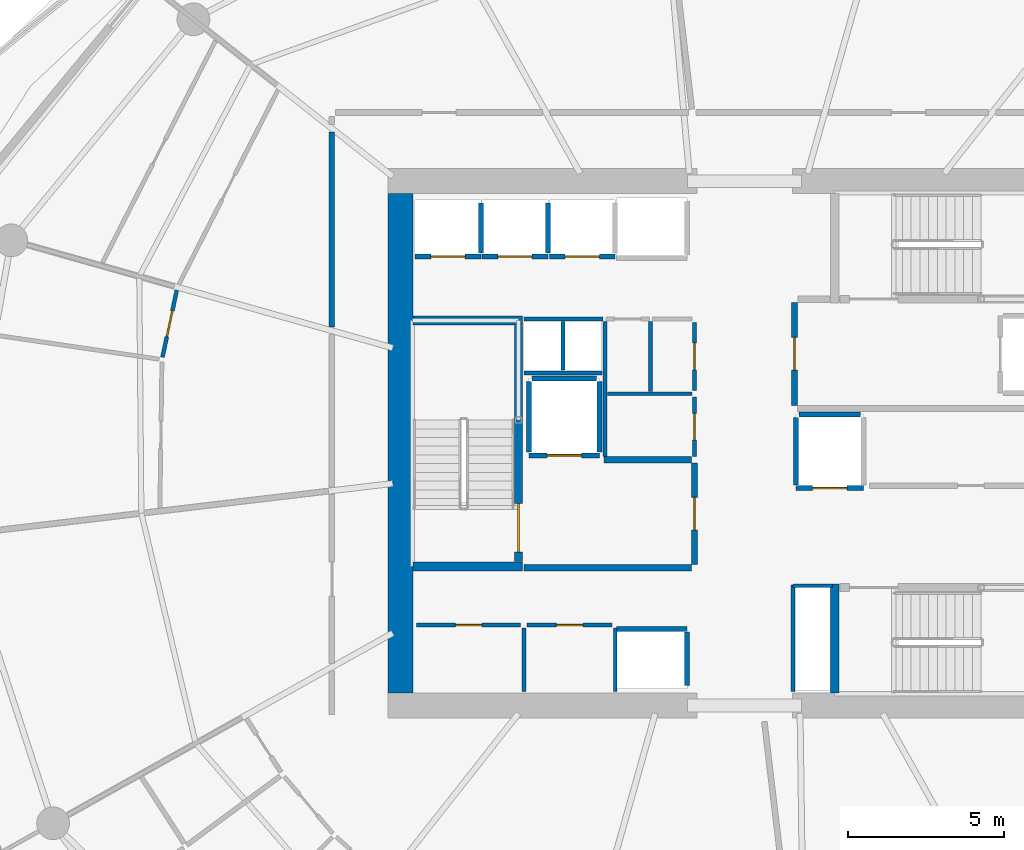
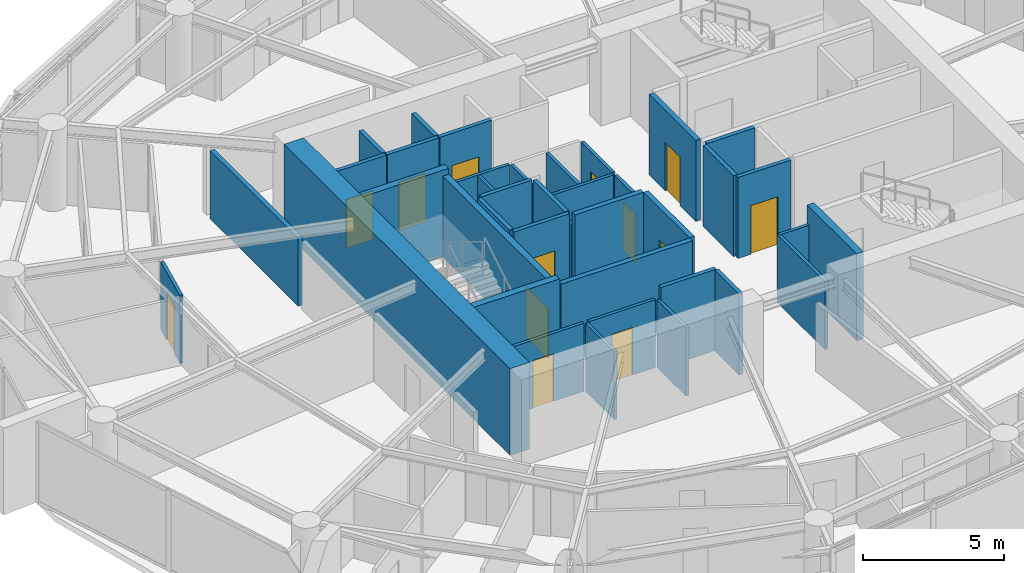
# One storey, part 12 of 20: 39 walls, 13 doors, 13 openings.
"""IFC4 building model written with IfcOpenShell, lengths in metres."""

from ifc_helpers import new_model, si_unit, direction, frame, frame_2d, origin, place, context, subcontext, project, spatial, rectangle, extrude, material, layer, layer_set, type_object, element, fill, save


model = new_model("IFC4")

# Units and contexts
model_context = context("Model", 3, precision=1e-05, world=origin(), true_north=direction((0.0, 1.0)))
body_context = subcontext(model_context, "Body", "Model", "MODEL_VIEW")
ifc_project = project(units=[si_unit("LENGTHUNIT", "METRE"), si_unit("AREAUNIT", "SQUARE_METRE"), si_unit("VOLUMEUNIT", "CUBIC_METRE"), si_unit("PLANEANGLEUNIT", "RADIAN"), si_unit("MASSUNIT", "GRAM", prefix="KILO")], contexts=[model_context])

# Site, building, storey
site_placement = place(None, origin())
site = spatial("IfcSite", under=ifc_project, at=site_placement, CompositionType="ELEMENT")
building_placement = place(site_placement, origin())
building = spatial("IfcBuilding", under=site, at=building_placement, Name="Kazma Halo Residences", CompositionType="ELEMENT")
storey_placement = place(building_placement, frame((0.0, 0.0, 157.800048828125)))
storey = spatial("IfcBuildingStorey", under=building, at=storey_placement, Name="L39", CompositionType="ELEMENT", Elevation=157.800048828125)

# Walls
ifc_material_1 = material(Name="Concrete C80/95", Category="concrete")
ifc_layer_1 = layer(ifc_material_1, 0.800048828125)
ifc_layer_set_1 = layer_set([ifc_layer_1], Name="Concrete C80/95")
wall_type_1 = type_object("IfcWallType", Name="WL-CORE-800", PredefinedType="SHEAR", material=ifc_layer_set_1)
wall_1_placement = place(storey_placement, frame((37.39990234375, 34.0, 0.0), z_axis=(0.0, 0.0, 1.0), x_axis=(0.0, 1.0, 0.0)))
element("IfcWall", 1, at=wall_1_placement, inside=storey, type_object=wall_type_1, Name="L39 central core shear wall W", PredefinedType="SHEAR", context=body_context, shape_type="SweptSolid", body=[
    extrude(rectangle(XDim=16.0, YDim=0.800048828125, at=frame_2d((8.0, 0.0))), origin(), (0.0, 0.0, 1.0), 3.75),
])
ifc_material_2 = material(Name="Concrete C60/75", Category="concrete")
ifc_layer_2 = layer(ifc_material_2, 0.280029296875)
ifc_layer_set_2 = layer_set([ifc_layer_2], Name="Concrete C60/75")
wall_type_2 = type_object("IfcWallType", Name="WL-CORE-ST-280", PredefinedType="SHEAR", material=ifc_layer_set_2)
for number, where, z_axis, x_axis, name in (
    (2, (37.800048828125, 38.06005859375, 0.0), (0.0, 0.0, 1.0), (1.0, 0.0, 0.0), "L39 stairwell bearing wall ST01-S"),
    (3, (37.800048828125, 45.93994140625, 0.0), (0.0, 0.0, 1.0), (1.0, 0.0, 0.0), "L39 stairwell bearing wall ST01-N"),
    (4, (51.31005859375, 34.0, 0.0), (0.0, 0.0, 1.0), (0.0, 1.0, 0.0), "L39 stairwell bearing wall ST03-W"),
):
    element("IfcWall", number, at=place(storey_placement, frame(where, z_axis=z_axis, x_axis=x_axis)), inside=storey, type_object=wall_type_2, Name=name, PredefinedType="SHEAR", context=body_context, shape_type="SweptSolid", body=[
        extrude(rectangle(XDim=3.5, YDim=0.280029296875, at=frame_2d((1.75, 0.0))), origin(), (0.0, 0.0, 1.0), 3.75),
    ])
ifc_material_3 = material(Name="Acoustic Twin-Stud Gypsum")
ifc_layer_3 = layer(ifc_material_3, 0.179931640625)
ifc_layer_set_3 = layer_set([ifc_layer_3], Name="Acoustic Twin-Stud Gypsum")
wall_type_3 = type_object("IfcWallType", Name="WL-DEM-180", PredefinedType="PARTITIONING", material=ifc_layer_set_3)
wall_2_placement = place(storey_placement, frame((35.199951171875, 51.970703125, 0.0), z_axis=(0.0, 0.0, 1.0), x_axis=(0.0, -1.0, 0.0)))
element("IfcWall", 5, at=wall_2_placement, inside=storey, type_object=wall_type_3, Name="L39 Apartment 1 inner wall 5", PredefinedType="PARTITIONING", context=body_context, shape_type="SweptSolid", body=[
    extrude(rectangle(XDim=6.24072265625, YDim=0.179931640625, at=frame_2d((3.120361328125, 0.0))), origin(), (0.0, 0.0, 1.0), 2.93994140625),
])

# Wall, opening, door
ifc_material_4 = material(Name="Fire-Rated Blockwork Masonry", Category="masonry")
ifc_layer_4 = layer(ifc_material_4, 0.199951171875)
ifc_layer_set_4 = layer_set([ifc_layer_4], Name="Fire-Rated Blockwork Masonry")
wall_type_4 = type_object("IfcWallType", Name="WL-FLB-200", PredefinedType="PARTITIONING", material=ifc_layer_set_4)
wall_3_placement = place(storey_placement, frame((39.97509765625, 47.9951171875, 0.0), z_axis=(0.0, 0.0, 1.0), x_axis=(-1.0, 0.0, 0.0)))
wall_3 = element("IfcWall", 6, at=wall_3_placement, inside=storey, type_object=wall_type_4, Name="L39 lift shaft PM-01 front wall", PredefinedType="PARTITIONING", context=body_context, shape_type="SweptSolid", body=[
    extrude(rectangle(XDim=2.110107421875, YDim=0.159912109375, at=frame_2d((1.05517578125, 0.0))), origin(), (0.0, 0.0, 1.0), 3.5),
])
opening_1_placement = place(wall_3_placement, frame((0.5048828125, 0.0, 0.0)))
opening_1 = element("IfcOpeningElement", 7, at=opening_1_placement, cuts=wall_3, Name="Opening LD-PM-01", PredefinedType="OPENING", context=body_context, shape_type="SweptSolid", body=[
    extrude(rectangle(XDim=1.10009765625, YDim=2.10009765625, at=frame_2d((0.550048828125, 1.050048828125))), frame((0.0, 0.08984375, 0.0), z_axis=(0.0, -1.0, 0.0), x_axis=(1.0, 0.0, 0.0)), (0.0, 0.0, 1.0), 0.179931640625),
])
ifc_material_5 = material(Name="Stainless Steel Fire-Rated", Category="steel")
door_type_1 = type_object("IfcDoorType", Name="DR-LIFT-SLD-1100", OperationType="DOUBLE_DOOR_SLIDING", PredefinedType="DOOR", material=ifc_material_5)
door_1_placement = place(opening_1_placement, origin())
door_1 = element("IfcDoor", 8, at=door_1_placement, inside=storey, type_object=door_type_1, Name="L39 lift PM-01 sliding landing door", OperationType="DOUBLE_DOOR_SLIDING", OverallHeight=2.10009765625, OverallWidth=1.10009765625, PredefinedType="DOOR", context=body_context, shape_type="SweptSolid", body=[
    extrude(rectangle(XDim=1.10009765625, YDim=2.10009765625, at=frame_2d((0.550048828125, 1.050048828125))), frame((0.0, 0.02490234375, 0.0), z_axis=(0.0, -1.0, 0.0), x_axis=(1.0, 0.0, 0.0)), (0.0, 0.0, 1.0), 0.050048828125),
])
fill(opening_1, door_1)

# Wall
wall_4_placement = place(storey_placement, frame((39.97509765625, 48.094970703125, 0.0), z_axis=(0.0, 0.0, 1.0), x_axis=(0.0, 1.0, 0.0)))
element("IfcWall", 9, at=wall_4_placement, inside=storey, type_object=wall_type_4, Name="L39 lift shaft PM-01 side wall E", PredefinedType="PARTITIONING", context=body_context, shape_type="SweptSolid", body=[
    extrude(rectangle(XDim=1.610107421875, YDim=0.159912109375, at=frame_2d((0.80517578125, 0.0))), origin(), (0.0, 0.0, 1.0), 3.5),
])

# Wall, opening, door
wall_5_placement = place(storey_placement, frame((42.125, 47.9951171875, 0.0), z_axis=(0.0, 0.0, 1.0), x_axis=(-1.0, 0.0, 0.0)))
wall_5 = element("IfcWall", 10, at=wall_5_placement, inside=storey, type_object=wall_type_4, Name="L39 lift shaft PM-02 front wall", PredefinedType="PARTITIONING", context=body_context, shape_type="SweptSolid", body=[
    extrude(rectangle(XDim=2.110107421875, YDim=0.159912109375, at=frame_2d((1.05517578125, 0.0))), origin(), (0.0, 0.0, 1.0), 3.5),
])
opening_2_placement = place(wall_5_placement, frame((0.5048828125, 0.0, 0.0)))
opening_2 = element("IfcOpeningElement", 11, at=opening_2_placement, cuts=wall_5, Name="Opening LD-PM-02", PredefinedType="OPENING", context=body_context, shape_type="SweptSolid", body=[
    extrude(rectangle(XDim=1.10009765625, YDim=2.10009765625, at=frame_2d((0.550048828125, 1.050048828125))), frame((0.0, 0.08984375, 0.0), z_axis=(0.0, -1.0, 0.0), x_axis=(1.0, 0.0, 0.0)), (0.0, 0.0, 1.0), 0.179931640625),
])
door_2_placement = place(opening_2_placement, origin())
door_2 = element("IfcDoor", 12, at=door_2_placement, inside=storey, type_object=door_type_1, Name="L39 lift PM-02 sliding landing door", OperationType="DOUBLE_DOOR_SLIDING", OverallHeight=2.10009765625, OverallWidth=1.10009765625, PredefinedType="DOOR", context=body_context, shape_type="SweptSolid", body=[
    extrude(rectangle(XDim=1.10009765625, YDim=2.10009765625, at=frame_2d((0.550048828125, 1.050048828125))), frame((0.0, 0.02490234375, 0.0), z_axis=(0.0, -1.0, 0.0), x_axis=(1.0, 0.0, 0.0)), (0.0, 0.0, 1.0), 0.050048828125),
])
fill(opening_2, door_2)

# Wall
wall_6_placement = place(storey_placement, frame((42.125, 48.094970703125, 0.0), z_axis=(0.0, 0.0, 1.0), x_axis=(0.0, 1.0, 0.0)))
element("IfcWall", 13, at=wall_6_placement, inside=storey, type_object=wall_type_4, Name="L39 lift shaft PM-02 side wall E", PredefinedType="PARTITIONING", context=body_context, shape_type="SweptSolid", body=[
    extrude(rectangle(XDim=1.610107421875, YDim=0.159912109375, at=frame_2d((0.80517578125, 0.0))), origin(), (0.0, 0.0, 1.0), 3.5),
])

# Wall, opening, door
wall_7_placement = place(storey_placement, frame((44.27490234375, 47.9951171875, 0.0), z_axis=(0.0, 0.0, 1.0), x_axis=(-1.0, 0.0, 0.0)))
wall_7 = element("IfcWall", 14, at=wall_7_placement, inside=storey, type_object=wall_type_4, Name="L39 lift shaft PM-03 front wall", PredefinedType="PARTITIONING", context=body_context, shape_type="SweptSolid", body=[
    extrude(rectangle(XDim=2.10986328125, YDim=0.159912109375, at=frame_2d((1.054931640625, 0.0))), origin(), (0.0, 0.0, 1.0), 3.5),
])
opening_3_placement = place(wall_7_placement, frame((0.5048828125, 0.0, 0.0)))
opening_3 = element("IfcOpeningElement", 15, at=opening_3_placement, cuts=wall_7, Name="Opening LD-PM-03", PredefinedType="OPENING", context=body_context, shape_type="SweptSolid", body=[
    extrude(rectangle(XDim=1.10009765625, YDim=2.10009765625, at=frame_2d((0.550048828125, 1.050048828125))), frame((0.0, 0.08984375, 0.0), z_axis=(0.0, -1.0, 0.0), x_axis=(1.0, 0.0, 0.0)), (0.0, 0.0, 1.0), 0.179931640625),
])
door_3_placement = place(opening_3_placement, origin())
door_3 = element("IfcDoor", 16, at=door_3_placement, inside=storey, type_object=door_type_1, Name="L39 lift PM-03 sliding landing door", OperationType="DOUBLE_DOOR_SLIDING", OverallHeight=2.10009765625, OverallWidth=1.10009765625, PredefinedType="DOOR", context=body_context, shape_type="SweptSolid", body=[
    extrude(rectangle(XDim=1.10009765625, YDim=2.10009765625, at=frame_2d((0.550048828125, 1.050048828125))), frame((0.0, 0.02490234375, 0.0), z_axis=(0.0, -1.0, 0.0), x_axis=(1.0, 0.0, 0.0)), (0.0, 0.0, 1.0), 0.050048828125),
])
fill(opening_3, door_3)

# Walls
wall_8_placement = place(storey_placement, frame((44.320068359375, 36.054931640625, 0.0), z_axis=(0.0, 0.0, 1.0), x_axis=(1.0, 0.0, 0.0)))
element("IfcWall", 17, at=wall_8_placement, inside=storey, type_object=wall_type_4, Name="L39 lift shaft PX-02 front wall", PredefinedType="PARTITIONING", context=body_context, shape_type="SweptSolid", body=[
    extrude(rectangle(XDim=2.260009765625, YDim=0.159912109375, at=frame_2d((1.1298828125, 0.0))), origin(), (0.0, 0.0, 1.0), 3.5),
])
wall_9_placement = place(storey_placement, frame((46.580078125, 34.2451171875, 0.0), z_axis=(0.0, 0.0, 1.0), x_axis=(0.0, 1.0, 0.0)))
element("IfcWall", 18, at=wall_9_placement, inside=storey, type_object=wall_type_4, Name="L39 lift shaft PX-02 side wall E", PredefinedType="PARTITIONING", context=body_context, shape_type="SweptSolid", body=[
    extrude(rectangle(XDim=1.7099609375, YDim=0.159912109375, at=frame_2d((0.85498046875, 0.0))), origin(), (0.0, 0.0, 1.0), 3.5),
])

# Wall, opening, door
wall_10_placement = place(storey_placement, frame((43.780029296875, 41.6201171875, 0.0), z_axis=(0.0, 0.0, 1.0), x_axis=(-1.0, 0.0, 0.0)))
wall_10 = element("IfcWall", 19, at=wall_10_placement, inside=storey, type_object=wall_type_4, Name="L39 lift shaft FL-01 front wall", PredefinedType="PARTITIONING", context=body_context, shape_type="SweptSolid", body=[
    extrude(rectangle(XDim=2.260009765625, YDim=0.159912109375, at=frame_2d((1.1298828125, 0.0))), origin(), (0.0, 0.0, 1.0), 3.5),
])
opening_4_placement = place(wall_10_placement, frame((0.580078125, 0.0, 0.0)))
opening_4 = element("IfcOpeningElement", 20, at=opening_4_placement, cuts=wall_10, Name="Opening LD-FL-01", PredefinedType="OPENING", context=body_context, shape_type="SweptSolid", body=[
    extrude(rectangle(XDim=1.10009765625, YDim=2.10009765625, at=frame_2d((0.550048828125, 1.050048828125))), frame((0.0, 0.08984375, 0.0), z_axis=(0.0, -1.0, 0.0), x_axis=(1.0, 0.0, 0.0)), (0.0, 0.0, 1.0), 0.179931640625),
])
door_4_placement = place(opening_4_placement, origin())
door_4 = element("IfcDoor", 21, at=door_4_placement, inside=storey, type_object=door_type_1, Name="L39 lift FL-01 sliding landing door", OperationType="DOUBLE_DOOR_SLIDING", OverallHeight=2.10009765625, OverallWidth=1.10009765625, PredefinedType="DOOR", context=body_context, shape_type="SweptSolid", body=[
    extrude(rectangle(XDim=1.10009765625, YDim=2.10009765625, at=frame_2d((0.550048828125, 1.050048828125))), frame((0.0, 0.02490234375, 0.0), z_axis=(0.0, -1.0, 0.0), x_axis=(1.0, 0.0, 0.0)), (0.0, 0.0, 1.0), 0.050048828125),
])
fill(opening_4, door_4)

# Walls
for number, where, z_axis, x_axis, name in (
    (22, (43.780029296875, 41.719970703125, 0.0), (0.0, 0.0, 1.0), (0.0, 1.0, 0.0), "L39 lift shaft FL-01 side wall E"),
    (23, (41.52001953125, 41.719970703125, 0.0), (0.0, 0.0, 1.0), (0.0, 1.0, 0.0), "L39 lift shaft FL-01 side wall W"),
):
    element("IfcWall", number, at=place(storey_placement, frame(where, z_axis=z_axis, x_axis=x_axis)), inside=storey, type_object=wall_type_4, Name=name, PredefinedType="PARTITIONING", context=body_context, shape_type="SweptSolid", body=[
        extrude(rectangle(XDim=2.260009765625, YDim=0.159912109375, at=frame_2d((1.1298828125, 0.0))), origin(), (0.0, 0.0, 1.0), 3.5),
    ])
wall_11_placement = place(storey_placement, frame((41.6201171875, 44.080078125, 0.0), z_axis=(0.0, 0.0, 1.0), x_axis=(1.0, 0.0, 0.0)))
element("IfcWall", 24, at=wall_11_placement, inside=storey, type_object=wall_type_4, Name="L39 lift shaft FL-01 side wall N", PredefinedType="PARTITIONING", context=body_context, shape_type="SweptSolid", body=[
    extrude(rectangle(XDim=2.059814453125, YDim=0.159912109375, at=frame_2d((1.02978515625, 0.0))), origin(), (0.0, 0.0, 1.0), 3.5),
])

# Wall, opening, door
wall_12_placement = place(storey_placement, frame((52.22998046875, 40.570068359375, 0.0), z_axis=(0.0, 0.0, 1.0), x_axis=(-1.0, 0.0, 0.0)))
wall_12 = element("IfcWall", 25, at=wall_12_placement, inside=storey, type_object=wall_type_4, Name="L39 lift shaft SV-01 front wall", PredefinedType="PARTITIONING", context=body_context, shape_type="SweptSolid", body=[
    extrude(rectangle(XDim=2.159912109375, YDim=0.159912109375, at=frame_2d((1.080078125, 0.0))), origin(), (0.0, 0.0, 1.0), 3.5),
])
opening_5_placement = place(wall_12_placement, frame((0.530029296875, 0.0, 0.0)))
opening_5 = element("IfcOpeningElement", 26, at=opening_5_placement, cuts=wall_12, Name="Opening LD-SV-01", PredefinedType="OPENING", context=body_context, shape_type="SweptSolid", body=[
    extrude(rectangle(XDim=1.10009765625, YDim=2.10009765625, at=frame_2d((0.550048828125, 1.050048828125))), frame((0.0, 0.08984375, 0.0), z_axis=(0.0, -1.0, 0.0), x_axis=(1.0, 0.0, 0.0)), (0.0, 0.0, 1.0), 0.179931640625),
])
door_5_placement = place(opening_5_placement, origin())
door_5 = element("IfcDoor", 27, at=door_5_placement, inside=storey, type_object=door_type_1, Name="L39 lift SV-01 sliding landing door", OperationType="DOUBLE_DOOR_SLIDING", OverallHeight=2.10009765625, OverallWidth=1.10009765625, PredefinedType="DOOR", context=body_context, shape_type="SweptSolid", body=[
    extrude(rectangle(XDim=1.10009765625, YDim=2.10009765625, at=frame_2d((0.550048828125, 1.050048828125))), frame((0.0, 0.02490234375, 0.0), z_axis=(0.0, -1.0, 0.0), x_axis=(1.0, 0.0, 0.0)), (0.0, 0.0, 1.0), 0.050048828125),
])
fill(opening_5, door_5)

# Walls
wall_13_placement = place(storey_placement, frame((50.070068359375, 40.669921875, 0.0), z_axis=(0.0, 0.0, 1.0), x_axis=(0.0, 1.0, 0.0)))
element("IfcWall", 28, at=wall_13_placement, inside=storey, type_object=wall_type_4, Name="L39 lift shaft SV-01 side wall W", PredefinedType="PARTITIONING", context=body_context, shape_type="SweptSolid", body=[
    extrude(rectangle(XDim=2.16015625, YDim=0.159912109375, at=frame_2d((1.080078125, 0.0))), origin(), (0.0, 0.0, 1.0), 3.5),
])
wall_14_placement = place(storey_placement, frame((50.169921875, 42.929931640625, 0.0), z_axis=(0.0, 0.0, 1.0), x_axis=(1.0, 0.0, 0.0)))
element("IfcWall", 29, at=wall_14_placement, inside=storey, type_object=wall_type_4, Name="L39 lift shaft SV-01 side wall N", PredefinedType="PARTITIONING", context=body_context, shape_type="SweptSolid", body=[
    extrude(rectangle(XDim=1.9599609375, YDim=0.159912109375, at=frame_2d((0.97998046875, 0.0))), origin(), (0.0, 0.0, 1.0), 3.5),
])
wall_15_placement = place(storey_placement, frame((41.35009765625, 38.02001953125, 0.0), z_axis=(0.0, 0.0, 1.0), x_axis=(1.0, 0.0, 0.0)))
element("IfcWall", 30, at=wall_15_placement, inside=storey, type_object=wall_type_4, Name="L39 west firefighting lobby south smoke wall", PredefinedType="PARTITIONING", context=body_context, shape_type="SweptSolid", body=[
    extrude(rectangle(XDim=5.369873046875, YDim=0.199951171875, at=frame_2d((2.68505859375, 0.0))), origin(), (0.0, 0.0, 1.0), 3.5),
])
wall_16_placement = place(storey_placement, frame((43.919921875, 41.47998046875, 0.0), z_axis=(0.0, 0.0, 1.0), x_axis=(1.0, 0.0, 0.0)))
element("IfcWall", 31, at=wall_16_placement, inside=storey, type_object=wall_type_4, Name="L39 west firefighting lobby north smoke wall", PredefinedType="PARTITIONING", context=body_context, shape_type="SweptSolid", body=[
    extrude(rectangle(XDim=2.800048828125, YDim=0.199951171875, at=frame_2d((1.39990234375, 0.0))), origin(), (0.0, 0.0, 1.0), 3.5),
])

# Wall, opening, door
wall_17_placement = place(storey_placement, frame((46.820068359375, 38.1201171875, 0.0), z_axis=(0.0, 0.0, 1.0), x_axis=(0.0, 1.0, 0.0)))
wall_17 = element("IfcWall", 32, at=wall_17_placement, inside=storey, type_object=wall_type_4, Name="L39 west firefighting lobby smoke wall", PredefinedType="PARTITIONING", context=body_context, shape_type="SweptSolid", body=[
    extrude(rectangle(XDim=3.259765625, YDim=0.199951171875, at=frame_2d((1.6298828125, 0.0))), origin(), (0.0, 0.0, 1.0), 3.5),
])
opening_6_placement = place(wall_17_placement, frame((1.10498046875, 0.0, 0.0)))
opening_6 = element("IfcOpeningElement", 33, at=opening_6_placement, cuts=wall_17, Name="Opening D-FLW", PredefinedType="OPENING", context=body_context, shape_type="SweptSolid", body=[
    extrude(rectangle(XDim=1.050048828125, YDim=2.10009765625, at=frame_2d((0.52490234375, 1.050048828125))), frame((0.0, 0.10986328125, 0.0), z_axis=(0.0, -1.0, 0.0), x_axis=(1.0, 0.0, 0.0)), (0.0, 0.0, 1.0), 0.219970703125),
])
ifc_material_6 = material(Name="Fire-Rated Steel Leaf", Category="steel")
door_type_2 = type_object("IfcDoorType", Name="DR-FD90-1050", OperationType="NOTDEFINED", PredefinedType="DOOR", material=ifc_material_6)
door_6_placement = place(opening_6_placement, origin())
door_6 = element("IfcDoor", 34, at=door_6_placement, inside=storey, type_object=door_type_2, Name="L39 west firefighting lobby smoke door", OperationType="SINGLE_SWING_RIGHT", OverallHeight=2.10009765625, OverallWidth=1.050048828125, PredefinedType="DOOR", context=body_context, shape_type="SweptSolid", body=[
    extrude(rectangle(XDim=1.050048828125, YDim=2.10009765625, at=frame_2d((0.52490234375, 1.050048828125))), frame((0.0, 0.02490234375, 0.0), z_axis=(0.0, -1.0, 0.0), x_axis=(1.0, 0.0, 0.0)), (0.0, 0.0, 1.0), 0.050048828125),
])
fill(opening_6, door_6)

wall_18_placement = place(storey_placement, frame((50.02001953125, 43.219970703125, 0.0), z_axis=(0.0, 0.0, 1.0), x_axis=(0.0, 1.0, 0.0)))
wall_18 = element("IfcWall", 35, at=wall_18_placement, inside=storey, type_object=wall_type_4, Name="L39 east firefighting lobby smoke wall", PredefinedType="PARTITIONING", context=body_context, shape_type="SweptSolid", body=[
    extrude(rectangle(XDim=3.300048828125, YDim=0.199951171875, at=frame_2d((1.64990234375, 0.0))), origin(), (0.0, 0.0, 1.0), 3.5),
])
opening_7_placement = place(wall_18_placement, frame((1.125, 0.0, 0.0)))
opening_7 = element("IfcOpeningElement", 36, at=opening_7_placement, cuts=wall_18, Name="Opening D-FLE", PredefinedType="OPENING", context=body_context, shape_type="SweptSolid", body=[
    extrude(rectangle(XDim=1.050048828125, YDim=2.10009765625, at=frame_2d((0.52490234375, 1.050048828125))), frame((0.0, 0.10986328125, 0.0), z_axis=(0.0, -1.0, 0.0), x_axis=(1.0, 0.0, 0.0)), (0.0, 0.0, 1.0), 0.219970703125),
])
door_7_placement = place(opening_7_placement, origin())
door_7 = element("IfcDoor", 37, at=door_7_placement, inside=storey, type_object=door_type_2, Name="L39 east firefighting lobby smoke door", OperationType="SINGLE_SWING_LEFT", OverallHeight=2.10009765625, OverallWidth=1.050048828125, PredefinedType="DOOR", context=body_context, shape_type="SweptSolid", body=[
    extrude(rectangle(XDim=1.050048828125, YDim=2.10009765625, at=frame_2d((0.52490234375, 1.050048828125))), frame((0.0, 0.02490234375, 0.0), z_axis=(0.0, -1.0, 0.0), x_axis=(1.0, 0.0, 0.0)), (0.0, 0.0, 1.0), 0.050048828125),
])
fill(opening_7, door_7)

# Walls
ifc_material_7 = material(Name="Gypsum Plasterboard Partition")
ifc_layer_5 = layer(ifc_material_7, 0.125)
ifc_layer_set_5 = layer_set([ifc_layer_5], Name="Gypsum Plasterboard Partition")
wall_type_5 = type_object("IfcWallType", Name="WL-PART-125", PredefinedType="PARTITIONING", material=ifc_layer_set_5)
for number, where, z_axis, x_axis, name in (
    (38, (44.280029296875, 34.050048828125, 0.0), (0.0, 0.0, 1.0), (0.0, 1.0, 0.0), "L39 reclaimed south east wall"),
    (39, (41.35009765625, 34.050048828125, 0.0), (0.0, 0.0, 1.0), (0.0, 1.0, 0.0), "L39 reclaimed south divider wall"),
):
    element("IfcWall", number, at=place(storey_placement, frame(where, z_axis=z_axis, x_axis=x_axis)), inside=storey, type_object=wall_type_5, Name=name, PredefinedType="PARTITIONING", context=body_context, shape_type="SweptSolid", body=[
        extrude(rectangle(XDim=2.030029296875, YDim=0.125, at=frame_2d((1.01513671875, 0.0))), origin(), (0.0, 0.0, 1.0), 2.93994140625),
    ])

# Wall, opening, door
wall_19_placement = place(storey_placement, frame((37.919921875, 36.179931640625, 0.0), z_axis=(0.0, 0.0, 1.0), x_axis=(1.0, 0.0, 0.0)))
wall_19 = element("IfcWall", 40, at=wall_19_placement, inside=storey, type_object=wall_type_5, Name="L39 reclaimed south W front wall", PredefinedType="PARTITIONING", context=body_context, shape_type="SweptSolid", body=[
    extrude(rectangle(XDim=3.330078125, YDim=0.125, at=frame_2d((1.6650390625, 0.0))), origin(), (0.0, 0.0, 1.0), 2.93994140625),
])
opening_8_placement = place(wall_19_placement, frame((1.239990234375, 0.0, 0.0)))
opening_8 = element("IfcOpeningElement", 41, at=opening_8_placement, cuts=wall_19, Name="Opening DS-850", PredefinedType="OPENING", context=body_context, shape_type="SweptSolid", body=[
    extrude(rectangle(XDim=0.85009765625, YDim=2.06005859375, at=frame_2d((0.425048828125, 1.030029296875))), frame((0.0, 0.072509765625, 0.0), z_axis=(0.0, -1.0, 0.0), x_axis=(1.0, 0.0, 0.0)), (0.0, 0.0, 1.0), 0.14501953125),
])
ifc_material_8 = material(Name="Painted Steel Access Leaf", Category="steel")
door_type_3 = type_object("IfcDoorType", Name="DR-SVC-850", OperationType="NOTDEFINED", PredefinedType="DOOR", material=ifc_material_8)
door_8_placement = place(opening_8_placement, origin())
door_8 = element("IfcDoor", 42, at=door_8_placement, inside=storey, type_object=door_type_3, Name="L39 reclaimed south W door", OperationType="SINGLE_SWING_RIGHT", OverallHeight=2.06005859375, OverallWidth=0.85009765625, PredefinedType="DOOR", context=body_context, shape_type="SweptSolid", body=[
    extrude(rectangle(XDim=0.85009765625, YDim=2.06005859375, at=frame_2d((0.425048828125, 1.030029296875))), frame((0.0, 0.02490234375, 0.0), z_axis=(0.0, -1.0, 0.0), x_axis=(1.0, 0.0, 0.0)), (0.0, 0.0, 1.0), 0.050048828125),
])
fill(opening_8, door_8)

wall_20_placement = place(storey_placement, frame((41.449951171875, 36.179931640625, 0.0), z_axis=(0.0, 0.0, 1.0), x_axis=(1.0, 0.0, 0.0)))
wall_20 = element("IfcWall", 43, at=wall_20_placement, inside=storey, type_object=wall_type_5, Name="L39 reclaimed south E front wall", PredefinedType="PARTITIONING", context=body_context, shape_type="SweptSolid", body=[
    extrude(rectangle(XDim=2.72998046875, YDim=0.125, at=frame_2d((1.364990234375, 0.0))), origin(), (0.0, 0.0, 1.0), 2.93994140625),
])
opening_9_placement = place(wall_20_placement, frame((0.93994140625, 0.0, 0.0)))
opening_9 = element("IfcOpeningElement", 44, at=opening_9_placement, cuts=wall_20, Name="Opening DS-850", PredefinedType="OPENING", context=body_context, shape_type="SweptSolid", body=[
    extrude(rectangle(XDim=0.85009765625, YDim=2.06005859375, at=frame_2d((0.425048828125, 1.030029296875))), frame((0.0, 0.072509765625, 0.0), z_axis=(0.0, -1.0, 0.0), x_axis=(1.0, 0.0, 0.0)), (0.0, 0.0, 1.0), 0.14501953125),
])
door_9_placement = place(opening_9_placement, origin())
door_9 = element("IfcDoor", 45, at=door_9_placement, inside=storey, type_object=door_type_3, Name="L39 reclaimed south E door", OperationType="SINGLE_SWING_LEFT", OverallHeight=2.06005859375, OverallWidth=0.85009765625, PredefinedType="DOOR", context=body_context, shape_type="SweptSolid", body=[
    extrude(rectangle(XDim=0.85009765625, YDim=2.06005859375, at=frame_2d((0.425048828125, 1.030029296875))), frame((0.0, 0.02490234375, 0.0), z_axis=(0.0, -1.0, 0.0), x_axis=(1.0, 0.0, 0.0)), (0.0, 0.0, 1.0), 0.050048828125),
])
fill(opening_9, door_9)

# Walls
wall_21_placement = place(storey_placement, frame((41.360107421875, 44.260009765625, 0.0), z_axis=(0.0, 0.0, 1.0), x_axis=(1.0, 0.0, 0.0)))
element("IfcWall", 46, at=wall_21_placement, inside=storey, type_object=wall_type_5, Name="L39 core riser south wall", PredefinedType="PARTITIONING", context=body_context, shape_type="SweptSolid", body=[
    extrude(rectangle(XDim=2.5, YDim=0.125, at=frame_2d((1.25, 0.0))), origin(), (0.0, 0.0, 1.0), 2.93994140625),
])
wall_22_placement = place(storey_placement, frame((42.60009765625, 44.35009765625, 0.0), z_axis=(0.0, 0.0, 1.0), x_axis=(0.0, 1.0, 0.0)))
element("IfcWall", 47, at=wall_22_placement, inside=storey, type_object=wall_type_5, Name="L39 core riser divider wall", PredefinedType="PARTITIONING", context=body_context, shape_type="SweptSolid", body=[
    extrude(rectangle(XDim=1.5498046875, YDim=0.125, at=frame_2d((0.77490234375, 0.0))), origin(), (0.0, 0.0, 1.0), 2.93994140625),
])
wall_23_placement = place(storey_placement, frame((49.97998046875, 34.06005859375, 0.0), z_axis=(0.0, 0.0, 1.0), x_axis=(0.0, 1.0, 0.0)))
element("IfcWall", 48, at=wall_23_placement, inside=storey, type_object=wall_type_5, Name="L39 standpipe riser wall", PredefinedType="PARTITIONING", context=body_context, shape_type="SweptSolid", body=[
    extrude(rectangle(XDim=3.39990234375, YDim=0.125, at=frame_2d((1.699951171875, 0.0))), origin(), (0.0, 0.0, 1.0), 2.93994140625),
])
wall_24_placement = place(storey_placement, frame((49.97998046875, 37.43994140625, 0.0), z_axis=(0.0, 0.0, 1.0), x_axis=(1.0, 0.0, 0.0)))
element("IfcWall", 49, at=wall_24_placement, inside=storey, type_object=wall_type_5, Name="L39 standpipe riser north wall", PredefinedType="PARTITIONING", context=body_context, shape_type="SweptSolid", body=[
    extrude(rectangle(XDim=1.260009765625, YDim=0.125, at=frame_2d((0.6298828125, 0.0))), origin(), (0.0, 0.0, 1.0), 2.93994140625),
])
wall_25_placement = place(storey_placement, frame((43.949951171875, 41.580078125, 0.0), z_axis=(0.0, 0.0, 1.0), x_axis=(0.0, 1.0, 0.0)))
element("IfcWall", 50, at=wall_25_placement, inside=storey, type_object=wall_type_5, Name="L39 core service west wall", PredefinedType="PARTITIONING", context=body_context, shape_type="SweptSolid", body=[
    extrude(rectangle(XDim=4.31982421875, YDim=0.125, at=frame_2d((2.159912109375, 0.0))), origin(), (0.0, 0.0, 1.0), 2.93994140625),
])
wall_26_placement = place(storey_placement, frame((44.030029296875, 43.590087890625, 0.0), z_axis=(0.0, 0.0, 1.0), x_axis=(1.0, 0.0, 0.0)))
element("IfcWall", 51, at=wall_26_placement, inside=storey, type_object=wall_type_5, Name="L39 core service horiz divider", PredefinedType="PARTITIONING", context=body_context, shape_type="SweptSolid", body=[
    extrude(rectangle(XDim=2.7099609375, YDim=0.125, at=frame_2d((1.35498046875, 0.0))), origin(), (0.0, 0.0, 1.0), 2.93994140625),
])
wall_27_placement = place(storey_placement, frame((45.409912109375, 43.669921875, 0.0), z_axis=(0.0, 0.0, 1.0), x_axis=(0.0, 1.0, 0.0)))
element("IfcWall", 52, at=wall_27_placement, inside=storey, type_object=wall_type_5, Name="L39 core service vert divider", PredefinedType="PARTITIONING", context=body_context, shape_type="SweptSolid", body=[
    extrude(rectangle(XDim=2.22998046875, YDim=0.125, at=frame_2d((1.114990234375, 0.0))), origin(), (0.0, 0.0, 1.0), 2.93994140625),
])

# Wall, opening, door
wall_28_placement = place(storey_placement, frame((46.820068359375, 41.580078125, 0.0), z_axis=(0.0, 0.0, 1.0), x_axis=(0.0, 1.0, 0.0)))
wall_28 = element("IfcWall", 53, at=wall_28_placement, inside=storey, type_object=wall_type_5, Name="L39 refuse room east wall", PredefinedType="PARTITIONING", context=body_context, shape_type="SweptSolid", body=[
    extrude(rectangle(XDim=1.909912109375, YDim=0.125, at=frame_2d((0.955078125, 0.0))), origin(), (0.0, 0.0, 1.0), 2.93994140625),
])
opening_10_placement = place(wall_28_placement, frame((0.530029296875, 0.0, 0.0)))
opening_10 = element("IfcOpeningElement", 54, at=opening_10_placement, cuts=wall_28, Name="Opening DS-850", PredefinedType="OPENING", context=body_context, shape_type="SweptSolid", body=[
    extrude(rectangle(XDim=0.85009765625, YDim=2.06005859375, at=frame_2d((0.425048828125, 1.030029296875))), frame((0.0, 0.072509765625, 0.0), z_axis=(0.0, -1.0, 0.0), x_axis=(1.0, 0.0, 0.0)), (0.0, 0.0, 1.0), 0.14501953125),
])
door_10_placement = place(opening_10_placement, origin())
door_10 = element("IfcDoor", 55, at=door_10_placement, inside=storey, type_object=door_type_3, Name="L39 refuse room door", OperationType="SINGLE_SWING_RIGHT", OverallHeight=2.06005859375, OverallWidth=0.85009765625, PredefinedType="DOOR", context=body_context, shape_type="SweptSolid", body=[
    extrude(rectangle(XDim=0.85009765625, YDim=2.06005859375, at=frame_2d((0.425048828125, 1.030029296875))), frame((0.0, 0.02490234375, 0.0), z_axis=(0.0, -1.0, 0.0), x_axis=(1.0, 0.0, 0.0)), (0.0, 0.0, 1.0), 0.050048828125),
])
fill(opening_10, door_10)

wall_29_placement = place(storey_placement, frame((46.820068359375, 43.68994140625, 0.0), z_axis=(0.0, 0.0, 1.0), x_axis=(0.0, 1.0, 0.0)))
wall_29 = element("IfcWall", 56, at=wall_29_placement, inside=storey, type_object=wall_type_5, Name="L39 sub-metering east wall", PredefinedType="PARTITIONING", context=body_context, shape_type="SweptSolid", body=[
    extrude(rectangle(XDim=2.18994140625, YDim=0.125, at=frame_2d((1.094970703125, 0.0))), origin(), (0.0, 0.0, 1.0), 2.93994140625),
])
opening_11_placement = place(wall_29_placement, frame((0.669921875, 0.0, 0.0)))
opening_11 = element("IfcOpeningElement", 57, at=opening_11_placement, cuts=wall_29, Name="Opening DS-850", PredefinedType="OPENING", context=body_context, shape_type="SweptSolid", body=[
    extrude(rectangle(XDim=0.85009765625, YDim=2.06005859375, at=frame_2d((0.425048828125, 1.030029296875))), frame((0.0, 0.072509765625, 0.0), z_axis=(0.0, -1.0, 0.0), x_axis=(1.0, 0.0, 0.0)), (0.0, 0.0, 1.0), 0.14501953125),
])
door_11_placement = place(opening_11_placement, origin())
door_11 = element("IfcDoor", 58, at=door_11_placement, inside=storey, type_object=door_type_3, Name="L39 sub-metering door", OperationType="SINGLE_SWING_LEFT", OverallHeight=2.06005859375, OverallWidth=0.85009765625, PredefinedType="DOOR", context=body_context, shape_type="SweptSolid", body=[
    extrude(rectangle(XDim=0.85009765625, YDim=2.06005859375, at=frame_2d((0.425048828125, 1.030029296875))), frame((0.0, 0.02490234375, 0.0), z_axis=(0.0, -1.0, 0.0), x_axis=(1.0, 0.0, 0.0)), (0.0, 0.0, 1.0), 0.050048828125),
])
fill(opening_11, door_11)

# Wall
wall_30_placement = place(storey_placement, frame((41.35009765625, 45.97998046875, 0.0), z_axis=(0.0, 0.0, 1.0), x_axis=(1.0, 0.0, 0.0)))
element("IfcWall", 59, at=wall_30_placement, inside=storey, type_object=wall_type_5, Name="L39 core riser NW wall", PredefinedType="PARTITIONING", context=body_context, shape_type="SweptSolid", body=[
    extrude(rectangle(XDim=2.52978515625, YDim=0.125, at=frame_2d((1.264892578125, 0.0))), origin(), (0.0, 0.0, 1.0), 2.93994140625),
])

# Wall, opening, door
wall_31_placement = place(storey_placement, frame((30.232421875, 46.9072265625, 0.0), z_axis=(0.0, 0.0, 1.0), x_axis=(-0.208920938613, -0.977932534181, 0.0)))
wall_31 = element("IfcWall", 60, at=wall_31_placement, inside=storey, type_object=wall_type_5, Name="L39 Apartment 1 North Wine Pantry Store hall wall", PredefinedType="PARTITIONING", context=body_context, shape_type="SweptSolid", body=[
    extrude(rectangle(XDim=2.193359375, YDim=0.125, at=frame_2d((1.0966796875, 0.0))), origin(), (0.0, 0.0, 1.0), 2.93994140625),
])
opening_12_placement = place(wall_31_placement, frame((0.671630859375, 0.0, 0.0)))
opening_12 = element("IfcOpeningElement", 61, at=opening_12_placement, cuts=wall_31, Name="Opening DB-900", PredefinedType="OPENING", context=body_context, shape_type="SweptSolid", body=[
    extrude(rectangle(XDim=0.85009765625, YDim=2.06005859375, at=frame_2d((0.425048828125, 1.030029296875))), frame((0.0, 0.072509765625, 0.0), z_axis=(0.0, -1.0, 0.0), x_axis=(1.0, 0.0, 0.0)), (0.0, 0.0, 1.0), 0.14501953125),
])
ifc_material_9 = material(Name="Moisture-Sealed Timber Leaf", Category="wood")
door_type_4 = type_object("IfcDoorType", Name="DR-BTH-900", OperationType="NOTDEFINED", PredefinedType="DOOR", material=ifc_material_9)
door_12_placement = place(opening_12_placement, origin())
door_12 = element("IfcDoor", 62, at=door_12_placement, inside=storey, type_object=door_type_4, Name="L39 Apartment 1 North Wine Pantry Store door", OperationType="SINGLE_SWING_RIGHT", OverallHeight=2.06005859375, OverallWidth=0.85009765625, PredefinedType="DOOR", context=body_context, shape_type="SweptSolid", body=[
    extrude(rectangle(XDim=0.85009765625, YDim=2.06005859375, at=frame_2d((0.425048828125, 1.030029296875))), frame((0.0, 0.02490234375, 0.0), z_axis=(0.0, -1.0, 0.0), x_axis=(1.0, 0.0, 0.0)), (0.0, 0.0, 1.0), 0.050048828125),
])
fill(opening_12, door_12)

ifc_material_10 = material(Name="Concrete C50/60", Category="concrete")
ifc_layer_6 = layer(ifc_material_10, 0.25)
ifc_layer_set_6 = layer_set([ifc_layer_6], Name="Concrete C50/60")
wall_type_6 = type_object("IfcWallType", Name="WL-SHF-250", PredefinedType="SOLIDWALL", material=ifc_layer_set_6)
wall_32_placement = place(storey_placement, frame((41.179931640625, 38.219970703125, 0.0), z_axis=(0.0, 0.0, 1.0), x_axis=(0.0, 1.0, 0.0)))
wall_32 = element("IfcWall", 63, at=wall_32_placement, inside=storey, type_object=wall_type_6, Name="L39 exit stair ST-01 enclosure wall", PredefinedType="SOLIDWALL", context=body_context, shape_type="SweptSolid", body=[
    extrude(rectangle(XDim=7.56005859375, YDim=0.25, at=frame_2d((3.780029296875, 0.0))), origin(), (0.0, 0.0, 1.0), 3.5),
])
opening_13_placement = place(wall_32_placement, frame((0.300048828125, 0.0, 0.0)))
opening_13 = element("IfcOpeningElement", 64, at=opening_13_placement, cuts=wall_32, Name="Opening D-ST1", PredefinedType="OPENING", context=body_context, shape_type="SweptSolid", body=[
    extrude(rectangle(XDim=1.550048828125, YDim=2.14990234375, at=frame_2d((0.77490234375, 1.074951171875))), frame((0.0, 0.135009765625, 0.0), z_axis=(0.0, -1.0, 0.0), x_axis=(1.0, 0.0, 0.0)), (0.0, 0.0, 1.0), 0.27001953125),
])
ifc_material_11 = material(Name="Fire-Rated Double Steel Leaf", Category="steel")
door_type_5 = type_object("IfcDoorType", Name="DR-FD90-1550", OperationType="NOTDEFINED", PredefinedType="DOOR", material=ifc_material_11)
door_13_placement = place(opening_13_placement, origin())
door_13 = element("IfcDoor", 65, at=door_13_placement, inside=storey, type_object=door_type_5, Name="L39 exit stair ST-01 fire door", OperationType="DOUBLE_DOOR_SINGLE_SWING", OverallHeight=2.14990234375, OverallWidth=1.550048828125, PredefinedType="DOOR", context=body_context, shape_type="SweptSolid", body=[
    extrude(rectangle(XDim=1.550048828125, YDim=2.14990234375, at=frame_2d((0.77490234375, 1.074951171875))), frame((0.0, 0.02490234375, 0.0), z_axis=(0.0, -1.0, 0.0), x_axis=(1.0, 0.0, 0.0)), (0.0, 0.0, 1.0), 0.050048828125),
])
fill(opening_13, door_13)

save(model, "model.ifc")
